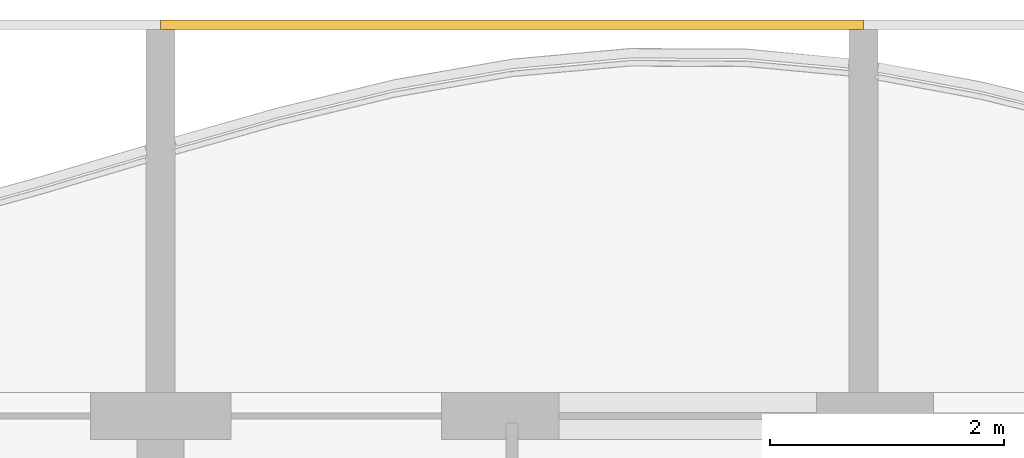
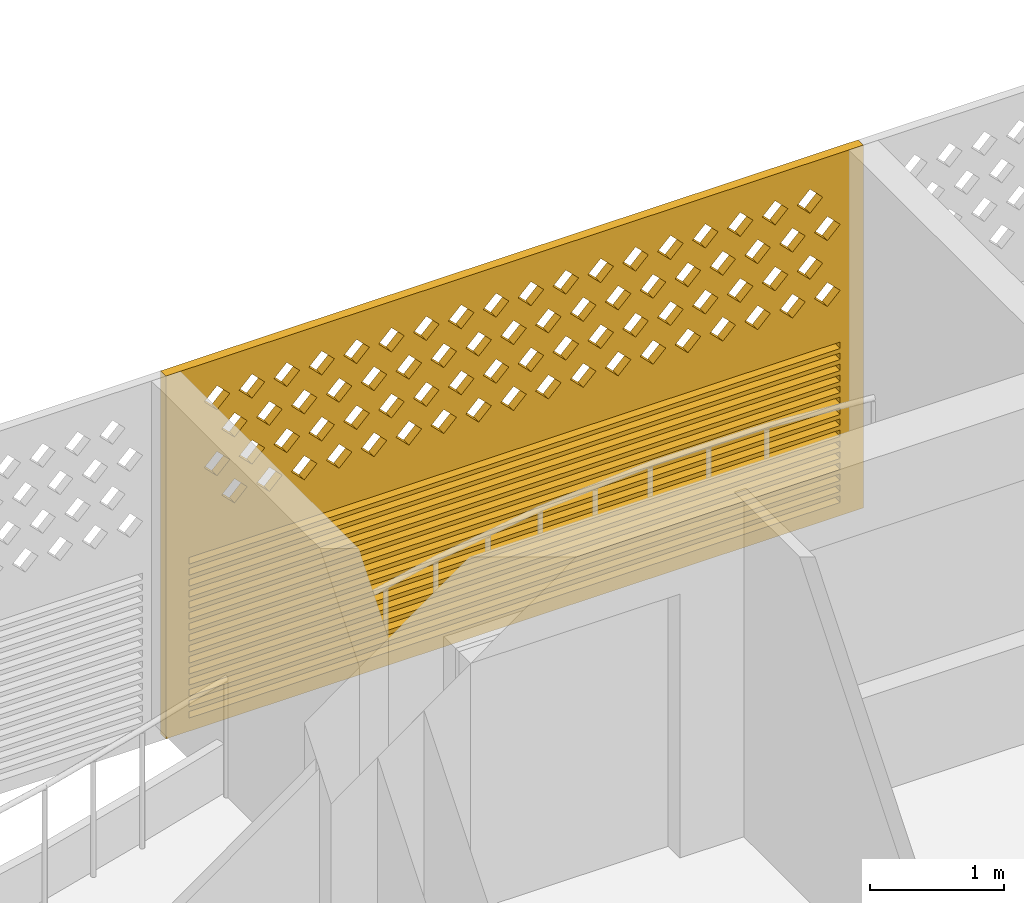
# One storey, part 32 of 39: 1 covering.
"""IFC4 building model written with IfcOpenShell, lengths in metres."""

from ifc_helpers import new_model, si_unit, direction, frame, origin, place, context, subcontext, project, spatial, polyline, outline, extrude, source, transform, mapped, material, material_profile, profile_set, type_object, element, save


model = new_model("IFC4")

# Units and contexts
model_context = context("Model", 3, precision=1e-05, world=origin(), true_north=direction((0.0, 1.0)))
body_context = subcontext(model_context, "Body", "Model", "MODEL_VIEW")
ifc_project = project(units=[si_unit("LENGTHUNIT", "METRE"), si_unit("AREAUNIT", "SQUARE_METRE"), si_unit("VOLUMEUNIT", "CUBIC_METRE"), si_unit("PLANEANGLEUNIT", "RADIAN"), si_unit("MASSUNIT", "GRAM", prefix="KILO")], contexts=[model_context])

# Site, building, storey
site_placement = place(None, origin())
site = spatial("IfcSite", under=ifc_project, at=site_placement, CompositionType="ELEMENT")
building_placement = place(site_placement, origin())
building = spatial("IfcBuilding", under=site, at=building_placement, Name="Poui Terraces", CompositionType="ELEMENT")
storey_placement = place(building_placement, frame((0.0, 0.0, 56.39990234375)))
storey = spatial("IfcBuildingStorey", under=building, at=storey_placement, Name="L15", CompositionType="ELEMENT", Elevation=56.39990234375)

# Covering
ifc_material = material(Name="Terracotta screen", Category="masonry")
ifc_material_profile = material_profile(ifc_material, outline(polyline([(-3.0, -1.64990234375), (3.0, -1.64990234375), (3.0, 1.64990234375), (-3.0, 1.64990234375), (-3.0, -1.64990234375)]), holes=[polyline([(-2.800048828125, 0.39990234375), (-2.68994140625, 0.2900390625), (-2.580078125, 0.39990234375), (-2.68994140625, 0.510009765625), (-2.800048828125, 0.39990234375)]), polyline([(-2.5, 0.39990234375), (-2.389892578125, 0.2900390625), (-2.280029296875, 0.39990234375), (-2.389892578125, 0.510009765625), (-2.5, 0.39990234375)]), polyline([(-2.199951171875, 0.39990234375), (-2.090087890625, 0.2900390625), (-1.97998046875, 0.39990234375), (-2.090087890625, 0.510009765625), (-2.199951171875, 0.39990234375)]), polyline([(-1.89990234375, 0.39990234375), (-1.7900390625, 0.2900390625), (-1.679931640625, 0.39990234375), (-1.7900390625, 0.510009765625), (-1.89990234375, 0.39990234375)]), polyline([(-1.60009765625, 0.39990234375), (-1.489990234375, 0.2900390625), (-1.3798828125, 0.39990234375), (-1.489990234375, 0.510009765625), (-1.60009765625, 0.39990234375)]), polyline([(-1.300048828125, 0.39990234375), (-1.18994140625, 0.2900390625), (-1.080078125, 0.39990234375), (-1.18994140625, 0.510009765625), (-1.300048828125, 0.39990234375)]), polyline([(-1.0, 0.39990234375), (-0.889892578125, 0.2900390625), (-0.780029296875, 0.39990234375), (-0.889892578125, 0.510009765625), (-1.0, 0.39990234375)]), polyline([(-0.699951171875, 0.39990234375), (-0.590087890625, 0.2900390625), (-0.47998046875, 0.39990234375), (-0.590087890625, 0.510009765625), (-0.699951171875, 0.39990234375)]), polyline([(-0.39990234375, 0.39990234375), (-0.2900390625, 0.2900390625), (-0.179931640625, 0.39990234375), (-0.2900390625, 0.510009765625), (-0.39990234375, 0.39990234375)]), polyline([(-0.10009765625, 0.39990234375), (0.010009765625, 0.2900390625), (0.1201171875, 0.39990234375), (0.010009765625, 0.510009765625), (-0.10009765625, 0.39990234375)]), polyline([(0.199951171875, 0.39990234375), (0.31005859375, 0.2900390625), (0.419921875, 0.39990234375), (0.31005859375, 0.510009765625), (0.199951171875, 0.39990234375)]), polyline([(0.5, 0.39990234375), (0.610107421875, 0.2900390625), (0.719970703125, 0.39990234375), (0.610107421875, 0.510009765625), (0.5, 0.39990234375)]), polyline([(0.800048828125, 0.39990234375), (0.909912109375, 0.2900390625), (1.02001953125, 0.39990234375), (0.909912109375, 0.510009765625), (0.800048828125, 0.39990234375)]), polyline([(1.10009765625, 0.39990234375), (1.2099609375, 0.2900390625), (1.320068359375, 0.39990234375), (1.2099609375, 0.510009765625), (1.10009765625, 0.39990234375)]), polyline([(1.39990234375, 0.39990234375), (1.510009765625, 0.2900390625), (1.6201171875, 0.39990234375), (1.510009765625, 0.510009765625), (1.39990234375, 0.39990234375)]), polyline([(1.699951171875, 0.39990234375), (1.81005859375, 0.2900390625), (1.919921875, 0.39990234375), (1.81005859375, 0.510009765625), (1.699951171875, 0.39990234375)]), polyline([(2.0, 0.39990234375), (2.110107421875, 0.2900390625), (2.219970703125, 0.39990234375), (2.110107421875, 0.510009765625), (2.0, 0.39990234375)]), polyline([(2.300048828125, 0.39990234375), (2.409912109375, 0.2900390625), (2.52001953125, 0.39990234375), (2.409912109375, 0.510009765625), (2.300048828125, 0.39990234375)]), polyline([(-2.64990234375, 0.699951171875), (-2.5400390625, 0.590087890625), (-2.429931640625, 0.699951171875), (-2.5400390625, 0.81005859375), (-2.64990234375, 0.699951171875)]), polyline([(-2.35009765625, 0.699951171875), (-2.239990234375, 0.590087890625), (-2.1298828125, 0.699951171875), (-2.239990234375, 0.81005859375), (-2.35009765625, 0.699951171875)]), polyline([(-2.050048828125, 0.699951171875), (-1.93994140625, 0.590087890625), (-1.830078125, 0.699951171875), (-1.93994140625, 0.81005859375), (-2.050048828125, 0.699951171875)]), polyline([(-1.75, 0.699951171875), (-1.639892578125, 0.590087890625), (-1.530029296875, 0.699951171875), (-1.639892578125, 0.81005859375), (-1.75, 0.699951171875)]), polyline([(-1.449951171875, 0.699951171875), (-1.340087890625, 0.590087890625), (-1.22998046875, 0.699951171875), (-1.340087890625, 0.81005859375), (-1.449951171875, 0.699951171875)]), polyline([(-1.14990234375, 0.699951171875), (-1.0400390625, 0.590087890625), (-0.929931640625, 0.699951171875), (-1.0400390625, 0.81005859375), (-1.14990234375, 0.699951171875)]), polyline([(-0.85009765625, 0.699951171875), (-0.739990234375, 0.590087890625), (-0.6298828125, 0.699951171875), (-0.739990234375, 0.81005859375), (-0.85009765625, 0.699951171875)]), polyline([(-0.550048828125, 0.699951171875), (-0.43994140625, 0.590087890625), (-0.330078125, 0.699951171875), (-0.43994140625, 0.81005859375), (-0.550048828125, 0.699951171875)]), polyline([(-0.25, 0.699951171875), (-0.139892578125, 0.590087890625), (-0.030029296875, 0.699951171875), (-0.139892578125, 0.81005859375), (-0.25, 0.699951171875)]), polyline([(0.050048828125, 0.699951171875), (0.159912109375, 0.590087890625), (0.27001953125, 0.699951171875), (0.159912109375, 0.81005859375), (0.050048828125, 0.699951171875)]), polyline([(0.35009765625, 0.699951171875), (0.4599609375, 0.590087890625), (0.570068359375, 0.699951171875), (0.4599609375, 0.81005859375), (0.35009765625, 0.699951171875)]), polyline([(0.64990234375, 0.699951171875), (0.760009765625, 0.590087890625), (0.8701171875, 0.699951171875), (0.760009765625, 0.81005859375), (0.64990234375, 0.699951171875)]), polyline([(0.949951171875, 0.699951171875), (1.06005859375, 0.590087890625), (1.169921875, 0.699951171875), (1.06005859375, 0.81005859375), (0.949951171875, 0.699951171875)]), polyline([(1.25, 0.699951171875), (1.360107421875, 0.590087890625), (1.469970703125, 0.699951171875), (1.360107421875, 0.81005859375), (1.25, 0.699951171875)]), polyline([(1.550048828125, 0.699951171875), (1.659912109375, 0.590087890625), (1.77001953125, 0.699951171875), (1.659912109375, 0.81005859375), (1.550048828125, 0.699951171875)]), polyline([(1.85009765625, 0.699951171875), (1.9599609375, 0.590087890625), (2.070068359375, 0.699951171875), (1.9599609375, 0.81005859375), (1.85009765625, 0.699951171875)]), polyline([(2.14990234375, 0.699951171875), (2.260009765625, 0.590087890625), (2.3701171875, 0.699951171875), (2.260009765625, 0.81005859375), (2.14990234375, 0.699951171875)]), polyline([(2.449951171875, 0.699951171875), (2.56005859375, 0.590087890625), (2.669921875, 0.699951171875), (2.56005859375, 0.81005859375), (2.449951171875, 0.699951171875)]), polyline([(-2.800048828125, 1.0), (-2.68994140625, 0.889892578125), (-2.580078125, 1.0), (-2.68994140625, 1.110107421875), (-2.800048828125, 1.0)]), polyline([(-2.5, 1.0), (-2.389892578125, 0.889892578125), (-2.280029296875, 1.0), (-2.389892578125, 1.110107421875), (-2.5, 1.0)]), polyline([(-2.199951171875, 1.0), (-2.090087890625, 0.889892578125), (-1.97998046875, 1.0), (-2.090087890625, 1.110107421875), (-2.199951171875, 1.0)]), polyline([(-1.89990234375, 1.0), (-1.7900390625, 0.889892578125), (-1.679931640625, 1.0), (-1.7900390625, 1.110107421875), (-1.89990234375, 1.0)]), polyline([(-1.60009765625, 1.0), (-1.489990234375, 0.889892578125), (-1.3798828125, 1.0), (-1.489990234375, 1.110107421875), (-1.60009765625, 1.0)]), polyline([(-1.300048828125, 1.0), (-1.18994140625, 0.889892578125), (-1.080078125, 1.0), (-1.18994140625, 1.110107421875), (-1.300048828125, 1.0)]), polyline([(-1.0, 1.0), (-0.889892578125, 0.889892578125), (-0.780029296875, 1.0), (-0.889892578125, 1.110107421875), (-1.0, 1.0)]), polyline([(-0.699951171875, 1.0), (-0.590087890625, 0.889892578125), (-0.47998046875, 1.0), (-0.590087890625, 1.110107421875), (-0.699951171875, 1.0)]), polyline([(-0.39990234375, 1.0), (-0.2900390625, 0.889892578125), (-0.179931640625, 1.0), (-0.2900390625, 1.110107421875), (-0.39990234375, 1.0)]), polyline([(-0.10009765625, 1.0), (0.010009765625, 0.889892578125), (0.1201171875, 1.0), (0.010009765625, 1.110107421875), (-0.10009765625, 1.0)]), polyline([(0.199951171875, 1.0), (0.31005859375, 0.889892578125), (0.419921875, 1.0), (0.31005859375, 1.110107421875), (0.199951171875, 1.0)]), polyline([(0.5, 1.0), (0.610107421875, 0.889892578125), (0.719970703125, 1.0), (0.610107421875, 1.110107421875), (0.5, 1.0)]), polyline([(0.800048828125, 1.0), (0.909912109375, 0.889892578125), (1.02001953125, 1.0), (0.909912109375, 1.110107421875), (0.800048828125, 1.0)]), polyline([(1.10009765625, 1.0), (1.2099609375, 0.889892578125), (1.320068359375, 1.0), (1.2099609375, 1.110107421875), (1.10009765625, 1.0)]), polyline([(1.39990234375, 1.0), (1.510009765625, 0.889892578125), (1.6201171875, 1.0), (1.510009765625, 1.110107421875), (1.39990234375, 1.0)]), polyline([(1.699951171875, 1.0), (1.81005859375, 0.889892578125), (1.919921875, 1.0), (1.81005859375, 1.110107421875), (1.699951171875, 1.0)]), polyline([(2.0, 1.0), (2.110107421875, 0.889892578125), (2.219970703125, 1.0), (2.110107421875, 1.110107421875), (2.0, 1.0)]), polyline([(2.300048828125, 1.0), (2.409912109375, 0.889892578125), (2.52001953125, 1.0), (2.409912109375, 1.110107421875), (2.300048828125, 1.0)]), polyline([(-2.64990234375, 1.300048828125), (-2.5400390625, 1.18994140625), (-2.429931640625, 1.300048828125), (-2.5400390625, 1.409912109375), (-2.64990234375, 1.300048828125)]), polyline([(-2.35009765625, 1.300048828125), (-2.239990234375, 1.18994140625), (-2.1298828125, 1.300048828125), (-2.239990234375, 1.409912109375), (-2.35009765625, 1.300048828125)]), polyline([(-2.050048828125, 1.300048828125), (-1.93994140625, 1.18994140625), (-1.830078125, 1.300048828125), (-1.93994140625, 1.409912109375), (-2.050048828125, 1.300048828125)]), polyline([(-1.75, 1.300048828125), (-1.639892578125, 1.18994140625), (-1.530029296875, 1.300048828125), (-1.639892578125, 1.409912109375), (-1.75, 1.300048828125)]), polyline([(-1.449951171875, 1.300048828125), (-1.340087890625, 1.18994140625), (-1.22998046875, 1.300048828125), (-1.340087890625, 1.409912109375), (-1.449951171875, 1.300048828125)]), polyline([(-1.14990234375, 1.300048828125), (-1.0400390625, 1.18994140625), (-0.929931640625, 1.300048828125), (-1.0400390625, 1.409912109375), (-1.14990234375, 1.300048828125)]), polyline([(-0.85009765625, 1.300048828125), (-0.739990234375, 1.18994140625), (-0.6298828125, 1.300048828125), (-0.739990234375, 1.409912109375), (-0.85009765625, 1.300048828125)]), polyline([(-0.550048828125, 1.300048828125), (-0.43994140625, 1.18994140625), (-0.330078125, 1.300048828125), (-0.43994140625, 1.409912109375), (-0.550048828125, 1.300048828125)]), polyline([(-0.25, 1.300048828125), (-0.139892578125, 1.18994140625), (-0.030029296875, 1.300048828125), (-0.139892578125, 1.409912109375), (-0.25, 1.300048828125)]), polyline([(0.050048828125, 1.300048828125), (0.159912109375, 1.18994140625), (0.27001953125, 1.300048828125), (0.159912109375, 1.409912109375), (0.050048828125, 1.300048828125)]), polyline([(0.35009765625, 1.300048828125), (0.4599609375, 1.18994140625), (0.570068359375, 1.300048828125), (0.4599609375, 1.409912109375), (0.35009765625, 1.300048828125)]), polyline([(0.64990234375, 1.300048828125), (0.760009765625, 1.18994140625), (0.8701171875, 1.300048828125), (0.760009765625, 1.409912109375), (0.64990234375, 1.300048828125)]), polyline([(0.949951171875, 1.300048828125), (1.06005859375, 1.18994140625), (1.169921875, 1.300048828125), (1.06005859375, 1.409912109375), (0.949951171875, 1.300048828125)]), polyline([(1.25, 1.300048828125), (1.360107421875, 1.18994140625), (1.469970703125, 1.300048828125), (1.360107421875, 1.409912109375), (1.25, 1.300048828125)]), polyline([(1.550048828125, 1.300048828125), (1.659912109375, 1.18994140625), (1.77001953125, 1.300048828125), (1.659912109375, 1.409912109375), (1.550048828125, 1.300048828125)]), polyline([(1.85009765625, 1.300048828125), (1.9599609375, 1.18994140625), (2.070068359375, 1.300048828125), (1.9599609375, 1.409912109375), (1.85009765625, 1.300048828125)]), polyline([(2.14990234375, 1.300048828125), (2.260009765625, 1.18994140625), (2.3701171875, 1.300048828125), (2.260009765625, 1.409912109375), (2.14990234375, 1.300048828125)]), polyline([(2.449951171875, 1.300048828125), (2.56005859375, 1.18994140625), (2.669921875, 1.300048828125), (2.56005859375, 1.409912109375), (2.449951171875, 1.300048828125)]), polyline([(-2.800048828125, -1.530029296875), (2.800048828125, -1.530029296875), (2.800048828125, -1.469970703125), (-2.800048828125, -1.469970703125), (-2.800048828125, -1.530029296875)]), polyline([(-2.800048828125, -1.429931640625), (2.800048828125, -1.429931640625), (2.800048828125, -1.3701171875), (-2.800048828125, -1.3701171875), (-2.800048828125, -1.429931640625)]), polyline([(-2.800048828125, -1.330078125), (2.800048828125, -1.330078125), (2.800048828125, -1.27001953125), (-2.800048828125, -1.27001953125), (-2.800048828125, -1.330078125)]), polyline([(-2.800048828125, -1.22998046875), (2.800048828125, -1.22998046875), (2.800048828125, -1.169921875), (-2.800048828125, -1.169921875), (-2.800048828125, -1.22998046875)]), polyline([(-2.800048828125, -1.1298828125), (2.800048828125, -1.1298828125), (2.800048828125, -1.070068359375), (-2.800048828125, -1.070068359375), (-2.800048828125, -1.1298828125)]), polyline([(-2.800048828125, -1.030029296875), (2.800048828125, -1.030029296875), (2.800048828125, -0.969970703125), (-2.800048828125, -0.969970703125), (-2.800048828125, -1.030029296875)]), polyline([(-2.800048828125, -0.929931640625), (2.800048828125, -0.929931640625), (2.800048828125, -0.8701171875), (-2.800048828125, -0.8701171875), (-2.800048828125, -0.929931640625)]), polyline([(-2.800048828125, -0.830078125), (2.800048828125, -0.830078125), (2.800048828125, -0.77001953125), (-2.800048828125, -0.77001953125), (-2.800048828125, -0.830078125)]), polyline([(-2.800048828125, -0.72998046875), (2.800048828125, -0.72998046875), (2.800048828125, -0.669921875), (-2.800048828125, -0.669921875), (-2.800048828125, -0.72998046875)]), polyline([(-2.800048828125, -0.6298828125), (2.800048828125, -0.6298828125), (2.800048828125, -0.570068359375), (-2.800048828125, -0.570068359375), (-2.800048828125, -0.6298828125)]), polyline([(-2.800048828125, -0.530029296875), (2.800048828125, -0.530029296875), (2.800048828125, -0.469970703125), (-2.800048828125, -0.469970703125), (-2.800048828125, -0.530029296875)]), polyline([(-2.800048828125, -0.429931640625), (2.800048828125, -0.429931640625), (2.800048828125, -0.3701171875), (-2.800048828125, -0.3701171875), (-2.800048828125, -0.429931640625)]), polyline([(-2.800048828125, -0.330078125), (2.800048828125, -0.330078125), (2.800048828125, -0.27001953125), (-2.800048828125, -0.27001953125), (-2.800048828125, -0.330078125)]), polyline([(-2.800048828125, -0.22998046875), (2.800048828125, -0.22998046875), (2.800048828125, -0.169921875), (-2.800048828125, -0.169921875), (-2.800048828125, -0.22998046875)]), polyline([(-2.800048828125, -0.1298828125), (2.800048828125, -0.1298828125), (2.800048828125, -0.070068359375), (-2.800048828125, -0.070068359375), (-2.800048828125, -0.1298828125)])]), Name="TERRACOTTA SCREEN AND JALOUSIE LOUVRE 6000X3300")
ifc_profile_set = profile_set([ifc_material_profile], Name="Terracotta screen")
covering_type = type_object("IfcCoveringType", Name="TERRACOTTA SCREEN AND JALOUSIE LOUVRE 6000X3300", PredefinedType="CLADDING", material=ifc_profile_set)
shared_shape = source(origin(), body_context, "Body", "SweptSolid", [
    extrude(outline(polyline([(-3.0, -1.64990234375), (3.0, -1.64990234375), (3.0, 1.64990234375), (-3.0, 1.64990234375), (-3.0, -1.64990234375)]), holes=[polyline([(-2.800048828125, 0.39990234375), (-2.68994140625, 0.2900390625), (-2.580078125, 0.39990234375), (-2.68994140625, 0.510009765625), (-2.800048828125, 0.39990234375)]), polyline([(-2.5, 0.39990234375), (-2.389892578125, 0.2900390625), (-2.280029296875, 0.39990234375), (-2.389892578125, 0.510009765625), (-2.5, 0.39990234375)]), polyline([(-2.199951171875, 0.39990234375), (-2.090087890625, 0.2900390625), (-1.97998046875, 0.39990234375), (-2.090087890625, 0.510009765625), (-2.199951171875, 0.39990234375)]), polyline([(-1.89990234375, 0.39990234375), (-1.7900390625, 0.2900390625), (-1.679931640625, 0.39990234375), (-1.7900390625, 0.510009765625), (-1.89990234375, 0.39990234375)]), polyline([(-1.60009765625, 0.39990234375), (-1.489990234375, 0.2900390625), (-1.3798828125, 0.39990234375), (-1.489990234375, 0.510009765625), (-1.60009765625, 0.39990234375)]), polyline([(-1.300048828125, 0.39990234375), (-1.18994140625, 0.2900390625), (-1.080078125, 0.39990234375), (-1.18994140625, 0.510009765625), (-1.300048828125, 0.39990234375)]), polyline([(-1.0, 0.39990234375), (-0.889892578125, 0.2900390625), (-0.780029296875, 0.39990234375), (-0.889892578125, 0.510009765625), (-1.0, 0.39990234375)]), polyline([(-0.699951171875, 0.39990234375), (-0.590087890625, 0.2900390625), (-0.47998046875, 0.39990234375), (-0.590087890625, 0.510009765625), (-0.699951171875, 0.39990234375)]), polyline([(-0.39990234375, 0.39990234375), (-0.2900390625, 0.2900390625), (-0.179931640625, 0.39990234375), (-0.2900390625, 0.510009765625), (-0.39990234375, 0.39990234375)]), polyline([(-0.10009765625, 0.39990234375), (0.010009765625, 0.2900390625), (0.1201171875, 0.39990234375), (0.010009765625, 0.510009765625), (-0.10009765625, 0.39990234375)]), polyline([(0.199951171875, 0.39990234375), (0.31005859375, 0.2900390625), (0.419921875, 0.39990234375), (0.31005859375, 0.510009765625), (0.199951171875, 0.39990234375)]), polyline([(0.5, 0.39990234375), (0.610107421875, 0.2900390625), (0.719970703125, 0.39990234375), (0.610107421875, 0.510009765625), (0.5, 0.39990234375)]), polyline([(0.800048828125, 0.39990234375), (0.909912109375, 0.2900390625), (1.02001953125, 0.39990234375), (0.909912109375, 0.510009765625), (0.800048828125, 0.39990234375)]), polyline([(1.10009765625, 0.39990234375), (1.2099609375, 0.2900390625), (1.320068359375, 0.39990234375), (1.2099609375, 0.510009765625), (1.10009765625, 0.39990234375)]), polyline([(1.39990234375, 0.39990234375), (1.510009765625, 0.2900390625), (1.6201171875, 0.39990234375), (1.510009765625, 0.510009765625), (1.39990234375, 0.39990234375)]), polyline([(1.699951171875, 0.39990234375), (1.81005859375, 0.2900390625), (1.919921875, 0.39990234375), (1.81005859375, 0.510009765625), (1.699951171875, 0.39990234375)]), polyline([(2.0, 0.39990234375), (2.110107421875, 0.2900390625), (2.219970703125, 0.39990234375), (2.110107421875, 0.510009765625), (2.0, 0.39990234375)]), polyline([(2.300048828125, 0.39990234375), (2.409912109375, 0.2900390625), (2.52001953125, 0.39990234375), (2.409912109375, 0.510009765625), (2.300048828125, 0.39990234375)]), polyline([(-2.64990234375, 0.699951171875), (-2.5400390625, 0.590087890625), (-2.429931640625, 0.699951171875), (-2.5400390625, 0.81005859375), (-2.64990234375, 0.699951171875)]), polyline([(-2.35009765625, 0.699951171875), (-2.239990234375, 0.590087890625), (-2.1298828125, 0.699951171875), (-2.239990234375, 0.81005859375), (-2.35009765625, 0.699951171875)]), polyline([(-2.050048828125, 0.699951171875), (-1.93994140625, 0.590087890625), (-1.830078125, 0.699951171875), (-1.93994140625, 0.81005859375), (-2.050048828125, 0.699951171875)]), polyline([(-1.75, 0.699951171875), (-1.639892578125, 0.590087890625), (-1.530029296875, 0.699951171875), (-1.639892578125, 0.81005859375), (-1.75, 0.699951171875)]), polyline([(-1.449951171875, 0.699951171875), (-1.340087890625, 0.590087890625), (-1.22998046875, 0.699951171875), (-1.340087890625, 0.81005859375), (-1.449951171875, 0.699951171875)]), polyline([(-1.14990234375, 0.699951171875), (-1.0400390625, 0.590087890625), (-0.929931640625, 0.699951171875), (-1.0400390625, 0.81005859375), (-1.14990234375, 0.699951171875)]), polyline([(-0.85009765625, 0.699951171875), (-0.739990234375, 0.590087890625), (-0.6298828125, 0.699951171875), (-0.739990234375, 0.81005859375), (-0.85009765625, 0.699951171875)]), polyline([(-0.550048828125, 0.699951171875), (-0.43994140625, 0.590087890625), (-0.330078125, 0.699951171875), (-0.43994140625, 0.81005859375), (-0.550048828125, 0.699951171875)]), polyline([(-0.25, 0.699951171875), (-0.139892578125, 0.590087890625), (-0.030029296875, 0.699951171875), (-0.139892578125, 0.81005859375), (-0.25, 0.699951171875)]), polyline([(0.050048828125, 0.699951171875), (0.159912109375, 0.590087890625), (0.27001953125, 0.699951171875), (0.159912109375, 0.81005859375), (0.050048828125, 0.699951171875)]), polyline([(0.35009765625, 0.699951171875), (0.4599609375, 0.590087890625), (0.570068359375, 0.699951171875), (0.4599609375, 0.81005859375), (0.35009765625, 0.699951171875)]), polyline([(0.64990234375, 0.699951171875), (0.760009765625, 0.590087890625), (0.8701171875, 0.699951171875), (0.760009765625, 0.81005859375), (0.64990234375, 0.699951171875)]), polyline([(0.949951171875, 0.699951171875), (1.06005859375, 0.590087890625), (1.169921875, 0.699951171875), (1.06005859375, 0.81005859375), (0.949951171875, 0.699951171875)]), polyline([(1.25, 0.699951171875), (1.360107421875, 0.590087890625), (1.469970703125, 0.699951171875), (1.360107421875, 0.81005859375), (1.25, 0.699951171875)]), polyline([(1.550048828125, 0.699951171875), (1.659912109375, 0.590087890625), (1.77001953125, 0.699951171875), (1.659912109375, 0.81005859375), (1.550048828125, 0.699951171875)]), polyline([(1.85009765625, 0.699951171875), (1.9599609375, 0.590087890625), (2.070068359375, 0.699951171875), (1.9599609375, 0.81005859375), (1.85009765625, 0.699951171875)]), polyline([(2.14990234375, 0.699951171875), (2.260009765625, 0.590087890625), (2.3701171875, 0.699951171875), (2.260009765625, 0.81005859375), (2.14990234375, 0.699951171875)]), polyline([(2.449951171875, 0.699951171875), (2.56005859375, 0.590087890625), (2.669921875, 0.699951171875), (2.56005859375, 0.81005859375), (2.449951171875, 0.699951171875)]), polyline([(-2.800048828125, 1.0), (-2.68994140625, 0.889892578125), (-2.580078125, 1.0), (-2.68994140625, 1.110107421875), (-2.800048828125, 1.0)]), polyline([(-2.5, 1.0), (-2.389892578125, 0.889892578125), (-2.280029296875, 1.0), (-2.389892578125, 1.110107421875), (-2.5, 1.0)]), polyline([(-2.199951171875, 1.0), (-2.090087890625, 0.889892578125), (-1.97998046875, 1.0), (-2.090087890625, 1.110107421875), (-2.199951171875, 1.0)]), polyline([(-1.89990234375, 1.0), (-1.7900390625, 0.889892578125), (-1.679931640625, 1.0), (-1.7900390625, 1.110107421875), (-1.89990234375, 1.0)]), polyline([(-1.60009765625, 1.0), (-1.489990234375, 0.889892578125), (-1.3798828125, 1.0), (-1.489990234375, 1.110107421875), (-1.60009765625, 1.0)]), polyline([(-1.300048828125, 1.0), (-1.18994140625, 0.889892578125), (-1.080078125, 1.0), (-1.18994140625, 1.110107421875), (-1.300048828125, 1.0)]), polyline([(-1.0, 1.0), (-0.889892578125, 0.889892578125), (-0.780029296875, 1.0), (-0.889892578125, 1.110107421875), (-1.0, 1.0)]), polyline([(-0.699951171875, 1.0), (-0.590087890625, 0.889892578125), (-0.47998046875, 1.0), (-0.590087890625, 1.110107421875), (-0.699951171875, 1.0)]), polyline([(-0.39990234375, 1.0), (-0.2900390625, 0.889892578125), (-0.179931640625, 1.0), (-0.2900390625, 1.110107421875), (-0.39990234375, 1.0)]), polyline([(-0.10009765625, 1.0), (0.010009765625, 0.889892578125), (0.1201171875, 1.0), (0.010009765625, 1.110107421875), (-0.10009765625, 1.0)]), polyline([(0.199951171875, 1.0), (0.31005859375, 0.889892578125), (0.419921875, 1.0), (0.31005859375, 1.110107421875), (0.199951171875, 1.0)]), polyline([(0.5, 1.0), (0.610107421875, 0.889892578125), (0.719970703125, 1.0), (0.610107421875, 1.110107421875), (0.5, 1.0)]), polyline([(0.800048828125, 1.0), (0.909912109375, 0.889892578125), (1.02001953125, 1.0), (0.909912109375, 1.110107421875), (0.800048828125, 1.0)]), polyline([(1.10009765625, 1.0), (1.2099609375, 0.889892578125), (1.320068359375, 1.0), (1.2099609375, 1.110107421875), (1.10009765625, 1.0)]), polyline([(1.39990234375, 1.0), (1.510009765625, 0.889892578125), (1.6201171875, 1.0), (1.510009765625, 1.110107421875), (1.39990234375, 1.0)]), polyline([(1.699951171875, 1.0), (1.81005859375, 0.889892578125), (1.919921875, 1.0), (1.81005859375, 1.110107421875), (1.699951171875, 1.0)]), polyline([(2.0, 1.0), (2.110107421875, 0.889892578125), (2.219970703125, 1.0), (2.110107421875, 1.110107421875), (2.0, 1.0)]), polyline([(2.300048828125, 1.0), (2.409912109375, 0.889892578125), (2.52001953125, 1.0), (2.409912109375, 1.110107421875), (2.300048828125, 1.0)]), polyline([(-2.64990234375, 1.300048828125), (-2.5400390625, 1.18994140625), (-2.429931640625, 1.300048828125), (-2.5400390625, 1.409912109375), (-2.64990234375, 1.300048828125)]), polyline([(-2.35009765625, 1.300048828125), (-2.239990234375, 1.18994140625), (-2.1298828125, 1.300048828125), (-2.239990234375, 1.409912109375), (-2.35009765625, 1.300048828125)]), polyline([(-2.050048828125, 1.300048828125), (-1.93994140625, 1.18994140625), (-1.830078125, 1.300048828125), (-1.93994140625, 1.409912109375), (-2.050048828125, 1.300048828125)]), polyline([(-1.75, 1.300048828125), (-1.639892578125, 1.18994140625), (-1.530029296875, 1.300048828125), (-1.639892578125, 1.409912109375), (-1.75, 1.300048828125)]), polyline([(-1.449951171875, 1.300048828125), (-1.340087890625, 1.18994140625), (-1.22998046875, 1.300048828125), (-1.340087890625, 1.409912109375), (-1.449951171875, 1.300048828125)]), polyline([(-1.14990234375, 1.300048828125), (-1.0400390625, 1.18994140625), (-0.929931640625, 1.300048828125), (-1.0400390625, 1.409912109375), (-1.14990234375, 1.300048828125)]), polyline([(-0.85009765625, 1.300048828125), (-0.739990234375, 1.18994140625), (-0.6298828125, 1.300048828125), (-0.739990234375, 1.409912109375), (-0.85009765625, 1.300048828125)]), polyline([(-0.550048828125, 1.300048828125), (-0.43994140625, 1.18994140625), (-0.330078125, 1.300048828125), (-0.43994140625, 1.409912109375), (-0.550048828125, 1.300048828125)]), polyline([(-0.25, 1.300048828125), (-0.139892578125, 1.18994140625), (-0.030029296875, 1.300048828125), (-0.139892578125, 1.409912109375), (-0.25, 1.300048828125)]), polyline([(0.050048828125, 1.300048828125), (0.159912109375, 1.18994140625), (0.27001953125, 1.300048828125), (0.159912109375, 1.409912109375), (0.050048828125, 1.300048828125)]), polyline([(0.35009765625, 1.300048828125), (0.4599609375, 1.18994140625), (0.570068359375, 1.300048828125), (0.4599609375, 1.409912109375), (0.35009765625, 1.300048828125)]), polyline([(0.64990234375, 1.300048828125), (0.760009765625, 1.18994140625), (0.8701171875, 1.300048828125), (0.760009765625, 1.409912109375), (0.64990234375, 1.300048828125)]), polyline([(0.949951171875, 1.300048828125), (1.06005859375, 1.18994140625), (1.169921875, 1.300048828125), (1.06005859375, 1.409912109375), (0.949951171875, 1.300048828125)]), polyline([(1.25, 1.300048828125), (1.360107421875, 1.18994140625), (1.469970703125, 1.300048828125), (1.360107421875, 1.409912109375), (1.25, 1.300048828125)]), polyline([(1.550048828125, 1.300048828125), (1.659912109375, 1.18994140625), (1.77001953125, 1.300048828125), (1.659912109375, 1.409912109375), (1.550048828125, 1.300048828125)]), polyline([(1.85009765625, 1.300048828125), (1.9599609375, 1.18994140625), (2.070068359375, 1.300048828125), (1.9599609375, 1.409912109375), (1.85009765625, 1.300048828125)]), polyline([(2.14990234375, 1.300048828125), (2.260009765625, 1.18994140625), (2.3701171875, 1.300048828125), (2.260009765625, 1.409912109375), (2.14990234375, 1.300048828125)]), polyline([(2.449951171875, 1.300048828125), (2.56005859375, 1.18994140625), (2.669921875, 1.300048828125), (2.56005859375, 1.409912109375), (2.449951171875, 1.300048828125)]), polyline([(-2.800048828125, -1.530029296875), (2.800048828125, -1.530029296875), (2.800048828125, -1.469970703125), (-2.800048828125, -1.469970703125), (-2.800048828125, -1.530029296875)]), polyline([(-2.800048828125, -1.429931640625), (2.800048828125, -1.429931640625), (2.800048828125, -1.3701171875), (-2.800048828125, -1.3701171875), (-2.800048828125, -1.429931640625)]), polyline([(-2.800048828125, -1.330078125), (2.800048828125, -1.330078125), (2.800048828125, -1.27001953125), (-2.800048828125, -1.27001953125), (-2.800048828125, -1.330078125)]), polyline([(-2.800048828125, -1.22998046875), (2.800048828125, -1.22998046875), (2.800048828125, -1.169921875), (-2.800048828125, -1.169921875), (-2.800048828125, -1.22998046875)]), polyline([(-2.800048828125, -1.1298828125), (2.800048828125, -1.1298828125), (2.800048828125, -1.070068359375), (-2.800048828125, -1.070068359375), (-2.800048828125, -1.1298828125)]), polyline([(-2.800048828125, -1.030029296875), (2.800048828125, -1.030029296875), (2.800048828125, -0.969970703125), (-2.800048828125, -0.969970703125), (-2.800048828125, -1.030029296875)]), polyline([(-2.800048828125, -0.929931640625), (2.800048828125, -0.929931640625), (2.800048828125, -0.8701171875), (-2.800048828125, -0.8701171875), (-2.800048828125, -0.929931640625)]), polyline([(-2.800048828125, -0.830078125), (2.800048828125, -0.830078125), (2.800048828125, -0.77001953125), (-2.800048828125, -0.77001953125), (-2.800048828125, -0.830078125)]), polyline([(-2.800048828125, -0.72998046875), (2.800048828125, -0.72998046875), (2.800048828125, -0.669921875), (-2.800048828125, -0.669921875), (-2.800048828125, -0.72998046875)]), polyline([(-2.800048828125, -0.6298828125), (2.800048828125, -0.6298828125), (2.800048828125, -0.570068359375), (-2.800048828125, -0.570068359375), (-2.800048828125, -0.6298828125)]), polyline([(-2.800048828125, -0.530029296875), (2.800048828125, -0.530029296875), (2.800048828125, -0.469970703125), (-2.800048828125, -0.469970703125), (-2.800048828125, -0.530029296875)]), polyline([(-2.800048828125, -0.429931640625), (2.800048828125, -0.429931640625), (2.800048828125, -0.3701171875), (-2.800048828125, -0.3701171875), (-2.800048828125, -0.429931640625)]), polyline([(-2.800048828125, -0.330078125), (2.800048828125, -0.330078125), (2.800048828125, -0.27001953125), (-2.800048828125, -0.27001953125), (-2.800048828125, -0.330078125)]), polyline([(-2.800048828125, -0.22998046875), (2.800048828125, -0.22998046875), (2.800048828125, -0.169921875), (-2.800048828125, -0.169921875), (-2.800048828125, -0.22998046875)]), polyline([(-2.800048828125, -0.1298828125), (2.800048828125, -0.1298828125), (2.800048828125, -0.070068359375), (-2.800048828125, -0.070068359375), (-2.800048828125, -0.1298828125)])]), origin(), (0.0, 0.0, 1.0), 0.079833984375),
])
covering_placement = place(storey_placement, frame((63.0, 48.10009765625, 1.4501953125), z_axis=(0.0, 1.0, 0.0), x_axis=(-1.0, 0.0, 0.0)))
element("IfcCovering", 1, at=covering_placement, inside=storey, type_object=covering_type, Name="SOLAR SCREEN AND JALOUSIE LOUVRE", PredefinedType="CLADDING", context=body_context, shape_type="MappedRepresentation", body=[
    mapped(shared_shape, transform((0.0, 0.0, 0.0))),
])

save(model, "model.ifc")
